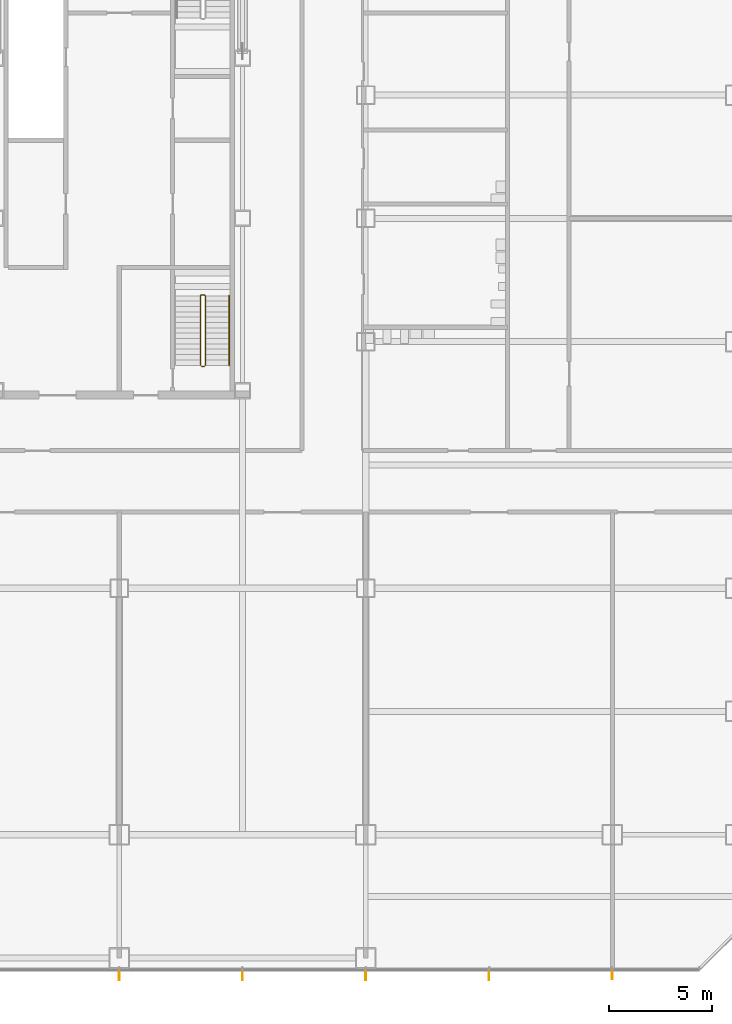
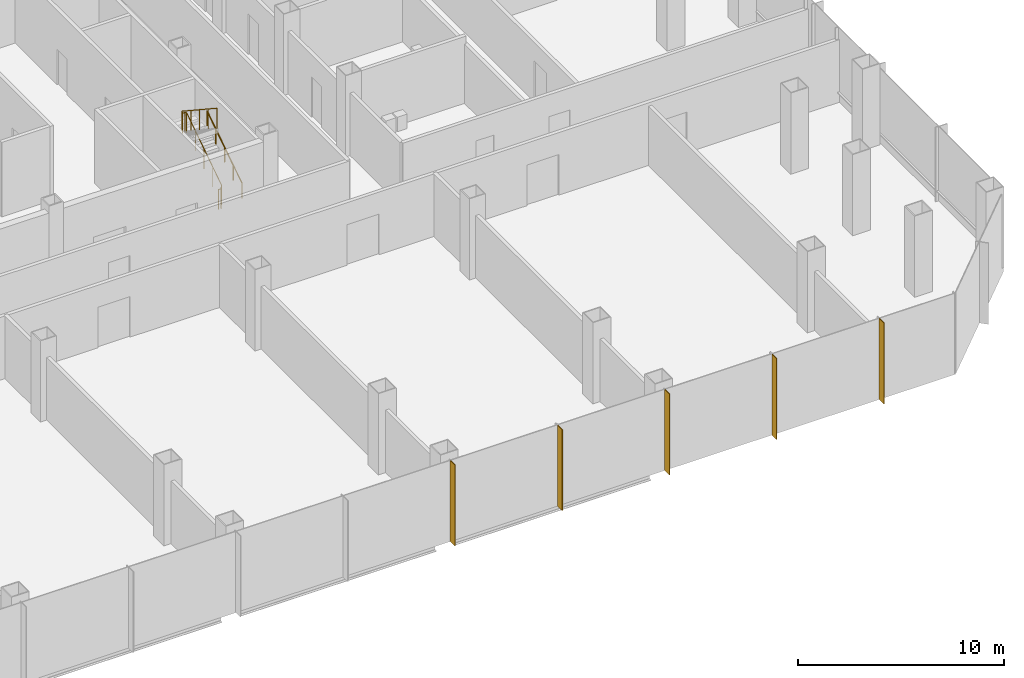
# One storey, part 28 of 33: 5 shading devices, 2 railings.
"""IFC4 building model written with IfcOpenShell, lengths in metres."""

from ifc_helpers import new_model, si_unit, direction, frame, origin, origin_2d, place, context, subcontext, project, spatial, rectangle, circle, extrude, material, material_profile, profile_set, type_object, element, save


model = new_model("IFC4")

# Units and contexts
model_context = context("Model", 3, precision=1e-05, world=origin(), true_north=direction((0.0, 1.0)))
body_context = subcontext(model_context, "Body", "Model", "MODEL_VIEW")
ifc_project = project(units=[si_unit("LENGTHUNIT", "METRE"), si_unit("AREAUNIT", "SQUARE_METRE"), si_unit("VOLUMEUNIT", "CUBIC_METRE"), si_unit("PLANEANGLEUNIT", "RADIAN"), si_unit("MASSUNIT", "GRAM", prefix="KILO")], contexts=[model_context])

# Site, building, storey
site_placement = place(None, origin())
site = spatial("IfcSite", under=ifc_project, at=site_placement, CompositionType="ELEMENT")
building_placement = place(site_placement, origin())
building = spatial("IfcBuilding", under=site, at=building_placement, Name="Sorahane Residences", CompositionType="ELEMENT")
storey_placement = place(building_placement, frame((0.0, 0.0, 30.0)))
storey = spatial("IfcBuildingStorey", under=building, at=storey_placement, Name="L04", CompositionType="ELEMENT", Elevation=30.0)

# Shading devices
ifc_material_1 = material(Name="Terracotta anodised aluminium", Category="masonry")
ifc_material_profile = material_profile(ifc_material_1, rectangle(XDim=0.449951171875, YDim=0.0400390625, at=origin_2d()), Name="Podium vertical fin terracotta anodised aluminium 450x40")
ifc_profile_set = profile_set([ifc_material_profile], Name="Terracotta anodised aluminium")
shading_device_type = type_object("IfcShadingDeviceType", Name="Podium vertical fin terracotta anodised aluminium 450x40", PredefinedType="USERDEFINED", material=ifc_profile_set)
for number, where, z_axis, x_axis, name in (
    (1, (36.0, -6.844970703125, -0.39990234375), (0.0, 0.0, 1.0), (0.0, -1.0, 0.0), "Podium vertical fin L04 S1.5"),
    (2, (42.0, -6.844970703125, -0.39990234375), (0.0, 0.0, 1.0), (0.0, -1.0, 0.0), "Podium vertical fin L04 S1.6"),
    (3, (48.0, -6.844970703125, -0.39990234375), (0.0, 0.0, 1.0), (0.0, -1.0, 0.0), "Podium vertical fin L04 S1.7"),
    (4, (54.0, -6.844970703125, -0.39990234375), (0.0, 0.0, 1.0), (0.0, -1.0, 0.0), "Podium vertical fin L04 S1.8"),
    (5, (60.0, -6.844970703125, -0.39990234375), (0.0, 0.0, 1.0), (0.0, -1.0, 0.0), "Podium vertical fin L04 S1.9"),
):
    element("IfcShadingDevice", number, at=place(storey_placement, frame(where, z_axis=z_axis, x_axis=x_axis)), inside=storey, type_object=shading_device_type, Name=name, ObjectType="Vertical fin", PredefinedType="USERDEFINED", context=body_context, shape_type="SweptSolid", body=[
        extrude(rectangle(XDim=0.449951171875, YDim=0.0400390625, at=origin_2d()), origin(), (0.0, 0.0, 1.0), 4.7998046875),
    ])

# Railings
ifc_material_2 = material(Name="Steel Q355B", Category="steel")
railing_type_1 = type_object("IfcRailingType", Name="Stair guard 1200 Steel Q355B", PredefinedType="GUARDRAIL", material=ifc_material_2)
railing_1_placement = place(storey_placement, frame((40.0, 22.800048828125, 0.0)))
element("IfcRailing", 6, at=railing_1_placement, inside=storey, type_object=railing_type_1, Name="L04 S5 stair guard 1", PredefinedType="GUARDRAIL", context=body_context, shape_type="SweptSolid", body=[
    extrude(circle(Radius=0.02392578125, at=origin_2d()), frame((0.0, 0.0, 1.17578125), z_axis=(1.0, 0.0, 0.0), x_axis=(0.0, 1.0, 0.0)), (0.0, 0.0, 1.0), 0.14990234375),
    extrude(circle(Radius=0.02392578125, at=origin_2d()), frame((0.14990234375, 0.0, 1.17578125), z_axis=(0.269911200495, 0.269911200495, 0.924281281696), x_axis=(-0.707106781187, 0.707106781187, 0.0)), (0.0, 0.0, 1.0), 0.185546875),
    extrude(circle(Radius=0.02392578125, at=origin_2d()), frame((0.199951171875, 0.050048828125, 1.34716796875), z_axis=(0.0, 0.83485994896, 0.550462410727), x_axis=(-1.0, 0.0, 0.0)), (0.0, 0.0, 1.0), 4.04833984375),
    extrude(circle(Radius=0.02392578125, at=origin_2d()), frame((0.199951171875, 3.429931640625, 3.57568359375), z_axis=(-0.707106781187, 0.707106781187, 0.0), x_axis=(-0.707106781187, -0.707106781187, 0.0)), (0.0, 0.0, 1.0), 0.07080078125),
    extrude(circle(Radius=0.02392578125, at=origin_2d()), frame((0.14990234375, 3.47998046875, 3.57568359375), z_axis=(-1.0, 0.0, 0.0), x_axis=(0.0, -1.0, 0.0)), (0.0, 0.0, 1.0), 0.14990234375),
    extrude(circle(Radius=0.02392578125, at=origin_2d()), frame((0.0, 3.47998046875, 3.57568359375), z_axis=(-0.269583098496, -0.269583098496, 0.924472771914), x_axis=(0.707106781187, -0.707106781187, 0.0)), (0.0, 0.0, 1.0), 0.185546875),
    extrude(circle(Radius=0.02392578125, at=origin_2d()), frame((-0.050048828125, 3.429931640625, 3.74755859375), z_axis=(0.0, -0.83485994896, 0.550462410727), x_axis=(1.0, 0.0, 0.0)), (0.0, 0.0, 1.0), 4.04833984375),
    extrude(circle(Radius=0.02099609375, at=origin_2d()), origin(), (0.0, 0.0, 1.0), 1.15185546875),
    extrude(circle(Radius=0.02099609375, at=origin_2d()), frame((0.14990234375, 0.0, 0.0)), (0.0, 0.0, 1.0), 1.15185546875),
    extrude(circle(Radius=0.02099609375, at=origin_2d()), frame((0.199951171875, 0.050048828125, 0.17138671875)), (0.0, 0.0, 1.0), 1.15185546875),
    extrude(circle(Radius=0.02099609375, at=origin_2d()), frame((0.199951171875, 0.89501953125, 0.728515625)), (0.0, 0.0, 1.0), 1.15185546875),
    extrude(circle(Radius=0.02099609375, at=origin_2d()), frame((0.199951171875, 1.739990234375, 1.28564453125)), (0.0, 0.0, 1.0), 1.15185546875),
    extrude(circle(Radius=0.02099609375, at=origin_2d()), frame((0.199951171875, 2.5849609375, 1.8427734375)), (0.0, 0.0, 1.0), 1.15185546875),
    extrude(circle(Radius=0.02099609375, at=origin_2d()), frame((0.199951171875, 3.429931640625, 2.39990234375)), (0.0, 0.0, 1.0), 1.15185546875),
    extrude(circle(Radius=0.02099609375, at=origin_2d()), frame((0.14990234375, 3.47998046875, 2.39990234375)), (0.0, 0.0, 1.0), 1.15185546875),
    extrude(circle(Radius=0.02099609375, at=origin_2d()), frame((0.0, 3.47998046875, 2.39990234375)), (0.0, 0.0, 1.0), 1.15185546875),
    extrude(circle(Radius=0.02099609375, at=origin_2d()), frame((-0.050048828125, 3.429931640625, 2.571533203125)), (0.0, 0.0, 1.0), 1.15185546875),
    extrude(circle(Radius=0.02099609375, at=origin_2d()), frame((-0.050048828125, 2.5849609375, 3.128662109375)), (0.0, 0.0, 1.0), 1.15185546875),
    extrude(circle(Radius=0.02099609375, at=origin_2d()), frame((-0.050048828125, 1.739990234375, 3.685791015625)), (0.0, 0.0, 1.0), 1.15185546875),
    extrude(circle(Radius=0.02099609375, at=origin_2d()), frame((-0.050048828125, 0.89501953125, 4.242919921875)), (0.0, 0.0, 1.0), 1.15185546875),
    extrude(circle(Radius=0.02099609375, at=origin_2d()), frame((-0.050048828125, 0.050048828125, 4.800048828125)), (0.0, 0.0, 1.0), 1.15185546875),
])
ifc_material_3 = material(Name="Steel Q355B", Category="steel")
railing_type_2 = type_object("IfcRailingType", Name="Stair handrail 900 Steel Q355B", PredefinedType="HANDRAIL", material=ifc_material_3)
railing_2_placement = place(storey_placement, frame((41.35009765625, 22.85009765625, 0.17138671875)))
element("IfcRailing", 7, at=railing_2_placement, inside=storey, type_object=railing_type_2, Name="L04 S5 stair handrail 1", PredefinedType="HANDRAIL", context=body_context, shape_type="SweptSolid", body=[
    extrude(circle(Radius=0.02392578125, at=origin_2d()), frame((0.0, 0.0, 0.8759765625), z_axis=(0.0, 0.83485994896, 0.550462410727), x_axis=(-1.0, 0.0, 0.0)), (0.0, 0.0, 1.0), 4.04833984375),
    extrude(circle(Radius=0.02099609375, at=origin_2d()), origin(), (0.0, 0.0, 1.0), 0.851806640625),
    extrude(circle(Radius=0.02099609375, at=origin_2d()), frame((0.0, 0.844970703125, 0.55712890625)), (0.0, 0.0, 1.0), 0.851806640625),
    extrude(circle(Radius=0.02099609375, at=origin_2d()), frame((0.0, 1.68994140625, 1.1142578125)), (0.0, 0.0, 1.0), 0.851806640625),
    extrude(circle(Radius=0.02099609375, at=origin_2d()), frame((0.0, 2.534912109375, 1.67138671875)), (0.0, 0.0, 1.0), 0.851806640625),
    extrude(circle(Radius=0.02099609375, at=origin_2d()), frame((0.0, 3.3798828125, 2.228515625)), (0.0, 0.0, 1.0), 0.851806640625),
])

save(model, "model.ifc")
